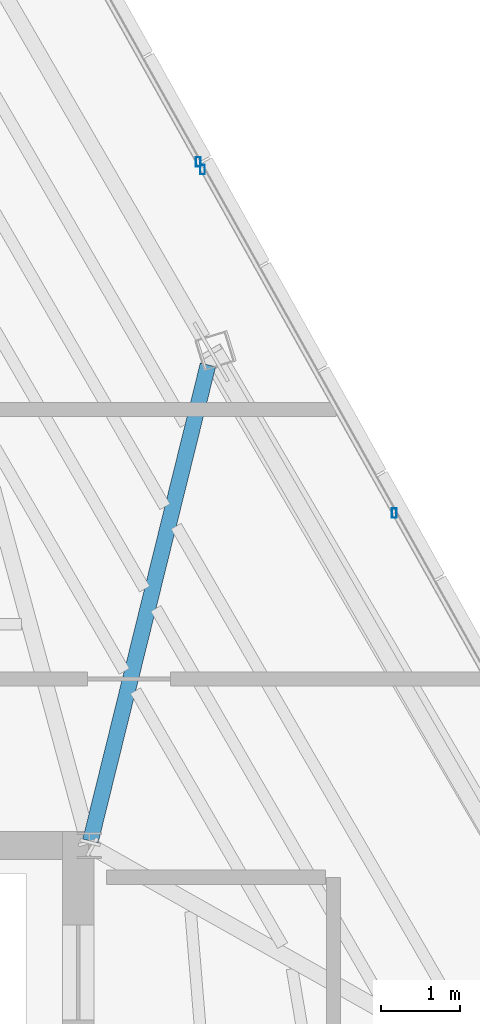
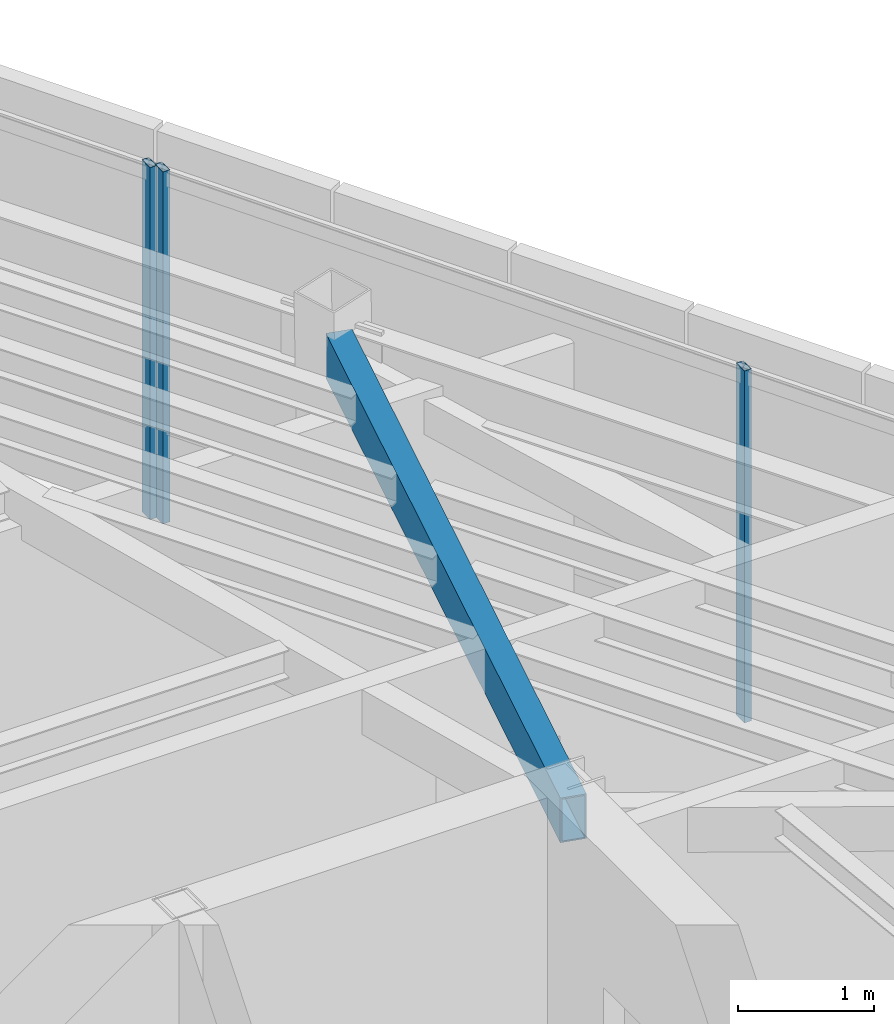
# One storey, part 31 of 44: 3 members, 1 beam, 2 elements without a shape of their own.
"""IFC4 building model written with IfcOpenShell, lengths in metres."""

from ifc_helpers import new_model, si_unit, direction, frame, origin, origin_2d, place, context, subcontext, project, spatial, hollow_rectangle, extrude, source, transform, mapped, material, material_profile, profile_set, type_object, type_shapes, element, aggregate, save


model = new_model("IFC4")

# Units and contexts
model_context = context("Model", 3, precision=1e-05, world=origin(), true_north=direction((0.0, 1.0)))
body_context = subcontext(model_context, "Body", "Model", "MODEL_VIEW")
ifc_project = project(units=[si_unit("LENGTHUNIT", "METRE"), si_unit("AREAUNIT", "SQUARE_METRE"), si_unit("VOLUMEUNIT", "CUBIC_METRE"), si_unit("PLANEANGLEUNIT", "RADIAN"), si_unit("MASSUNIT", "GRAM", prefix="KILO")], contexts=[model_context])

# Site, building, storey
site_placement = place(None, origin())
site = spatial("IfcSite", under=ifc_project, at=site_placement, CompositionType="ELEMENT")
building_placement = place(site_placement, origin())
building = spatial("IfcBuilding", under=site, at=building_placement, Name="Caelisora Broadcast Tower", CompositionType="ELEMENT")
storey_placement = place(building_placement, frame((0.0, 0.0, 289.800048828125)))
storey = spatial("IfcBuildingStorey", under=building, at=storey_placement, Name="L76", CompositionType="ELEMENT", Elevation=289.800048828125)

# Beam
ifc_material_1 = material(Name="Steel Grade 350 (AS/NZS 1163 C350L0)", Category="steel")
ifc_material_profile_1 = material_profile(ifc_material_1, hollow_rectangle(XDim=0.199951171875, YDim=0.39990234375, WallThickness=0.012451171875, at=origin_2d()), Name="Steel Grade 350 (AS/NZS 1163 C350L0)")
ifc_profile_set_1 = profile_set([ifc_material_profile_1], Name="Steel Grade 350 (AS/NZS 1163 C350L0)")
beam_type = type_object("IfcBeamType", Name="PG07", PredefinedType="BEAM", material=ifc_profile_set_1)
shared_shape_1 = source(origin(), body_context, "Body", "SweptSolid", [
    extrude(hollow_rectangle(XDim=0.199951171875, YDim=0.39990234375, WallThickness=0.012451171875, at=origin_2d()), origin(), (0.0, 0.0, 1.0), 6.184814453125),
])
type_shapes(beam_type, [shared_shape_1])
beam_placement = place(storey_placement, frame((45.514404296875, 30.058349609375, 2.949951171875), z_axis=(0.239645989967, 0.97086033985, 0.0), x_axis=(-0.97086033985, 0.239645989967, 0.0)))
element("IfcBeam", 1, at=beam_placement, inside=storey, type_object=beam_type, Name="L76 beam PG07", PredefinedType="BEAM", context=body_context, shape_type="MappedRepresentation", body=[
    mapped(shared_shape_1, transform((0.0, 0.0, 0.0), scale=1.0)),
])

# Curtain wall, member
ifc_material_2 = material(Name="Unitised Aluminium Insulated Shadow-Box Spandrel Curtain Wall", Category="aluminium")
curtain_wall_type = type_object("IfcCurtainWallType", Name="CW-SP3", PredefinedType="NOTDEFINED", material=ifc_material_2)
curtain_wall_1_placement = place(storey_placement, origin())
curtain_wall_1 = element("IfcCurtainWall", 2, at=curtain_wall_1_placement, inside=storey, type_object=curtain_wall_type, Name="L76 curtain wall CW-SP3", PredefinedType="NOTDEFINED")
ifc_material_3 = material(Name="Aluminium 6063-T6 Anodised Terracotta Bronze", Category="aluminium")
ifc_material_profile_2 = material_profile(ifc_material_3, hollow_rectangle(XDim=0.06005859375, YDim=0.1201171875, WallThickness=0.0029296875, at=origin_2d()), Name="Aluminium 6063-T6 Anodised Terracotta Bronze")
ifc_profile_set_2 = profile_set([ifc_material_profile_2], Name="Aluminium 6063-T6 Anodised Terracotta Bronze")
member_type = type_object("IfcMemberType", Name="CWM-04", PredefinedType="MULLION", material=ifc_profile_set_2)
shared_shape_2 = source(origin(), body_context, "Body", "SweptSolid", [
    extrude(hollow_rectangle(XDim=0.06005859375, YDim=0.1201171875, WallThickness=0.0029296875, at=origin_2d()), origin(), (0.0, 0.0, 1.0), 3.14990234375),
])
type_shapes(member_type, [shared_shape_2])
member_1_placement = place(storey_placement, frame((46.872802734375, 38.623779296875, 0.0), z_axis=(0.0, 0.0, 1.0), x_axis=(1.0, 0.0, 0.0)))
member_1 = element("IfcMember", 3, at=member_1_placement, type_object=member_type, Name="L76-CW-B01 mullion #3", PredefinedType="MULLION", context=body_context, shape_type="MappedRepresentation", body=[
    mapped(shared_shape_2, transform((0.0, 0.0, 0.0), scale=1.0)),
])
aggregate(curtain_wall_1, [member_1])

# Curtain wall, members
curtain_wall_2_placement = place(storey_placement, origin())
curtain_wall_2 = element("IfcCurtainWall", 4, at=curtain_wall_2_placement, inside=storey, type_object=curtain_wall_type, Name="L76 curtain wall CW-SP3", PredefinedType="NOTDEFINED")
member_2_placement = place(storey_placement, frame((46.926513671875, 38.527587890625, 0.0), z_axis=(0.0, 0.0, 1.0), x_axis=(1.0, 0.0, 0.0)))
member_2 = element("IfcMember", 5, at=member_2_placement, type_object=member_type, Name="L76-CW-B02 mullion #0", PredefinedType="MULLION", context=body_context, shape_type="MappedRepresentation", body=[
    mapped(shared_shape_2, transform((0.0, 0.0, 0.0), scale=1.0)),
])
member_3_placement = place(storey_placement, frame((49.345703125, 34.1943359375, 0.0), z_axis=(0.0, 0.0, 1.0), x_axis=(1.0, 0.0, 0.0)))
member_3 = element("IfcMember", 6, at=member_3_placement, type_object=member_type, Name="L76-CW-B02 mullion #1", PredefinedType="MULLION", context=body_context, shape_type="MappedRepresentation", body=[
    mapped(shared_shape_2, transform((0.0, 0.0, 0.0), scale=1.0)),
])
aggregate(curtain_wall_2, [member_2, member_3])

save(model, "model.ifc")
